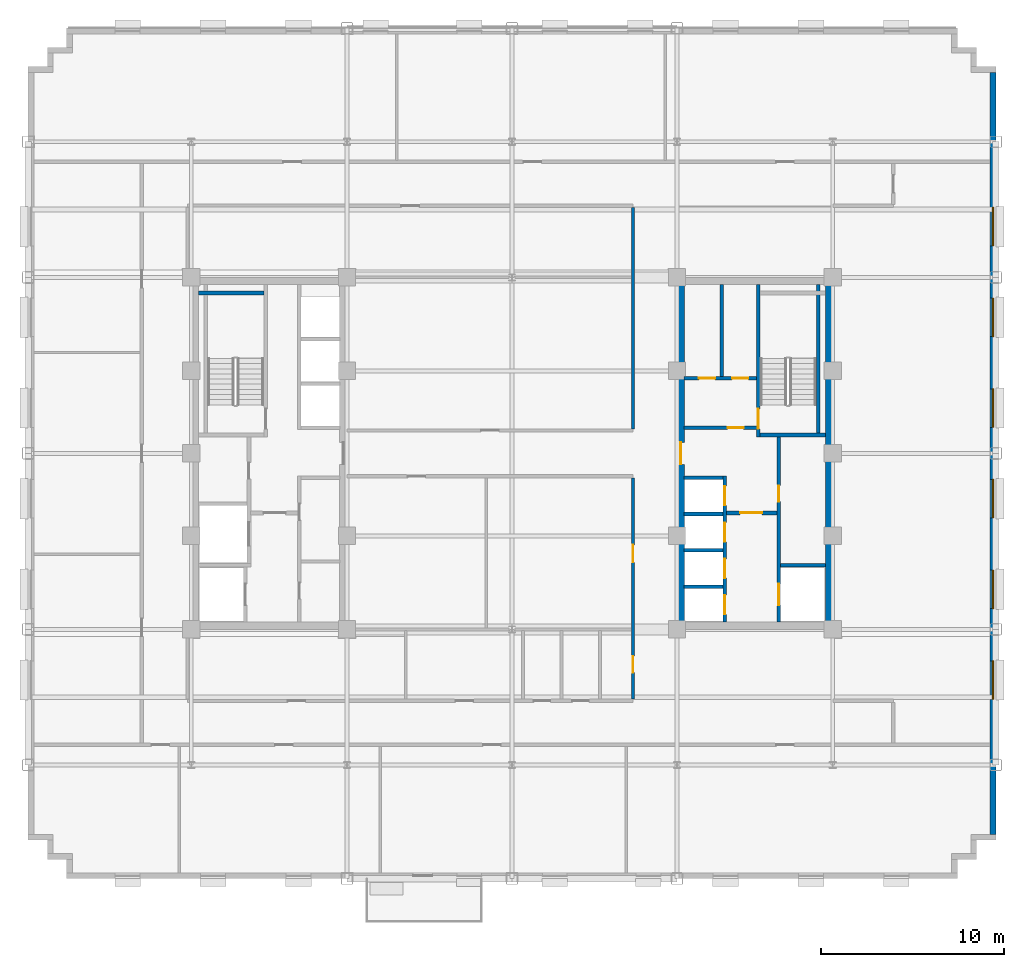
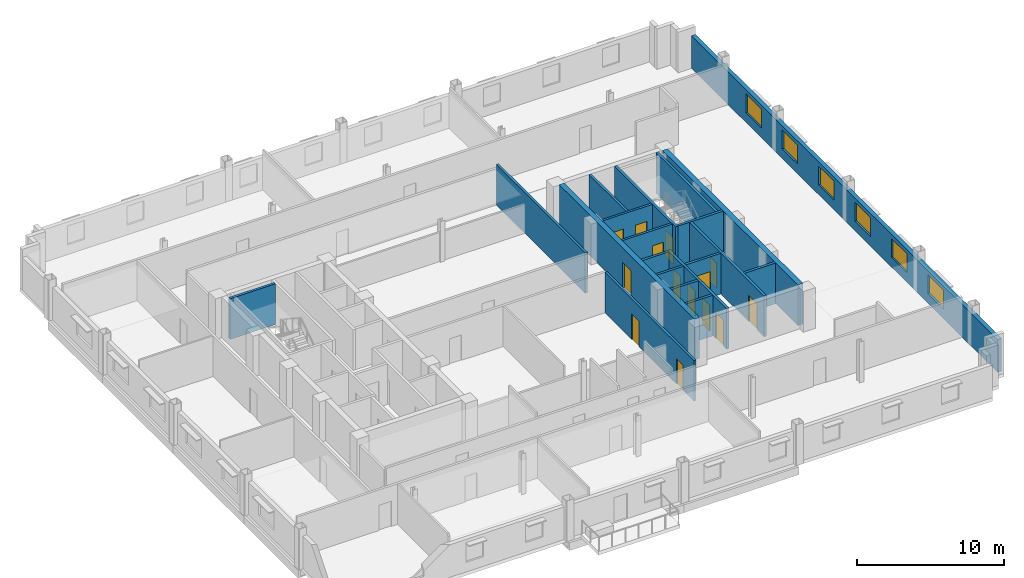
# One storey, part 8 of 13: 20 walls, 14 doors, 6 windows, 20 openings.
"""IFC4 building model written with IfcOpenShell, lengths in metres."""

from ifc_helpers import new_model, si_unit, direction, frame, frame_2d, origin, place, context, subcontext, project, spatial, rectangle, extrude, source, transform, mapped, material, layer, layer_set, type_object, type_shapes, element, fill, save


model = new_model("IFC4")

# Units and contexts
model_context = context("Model", 3, precision=1e-05, world=origin(), true_north=direction((0.0, 1.0)))
body_context = subcontext(model_context, "Body", "Model", "MODEL_VIEW")
ifc_project = project(units=[si_unit("LENGTHUNIT", "METRE"), si_unit("AREAUNIT", "SQUARE_METRE"), si_unit("VOLUMEUNIT", "CUBIC_METRE"), si_unit("PLANEANGLEUNIT", "RADIAN"), si_unit("MASSUNIT", "GRAM", prefix="KILO")], contexts=[model_context])

# Site, building, storey
site_placement = place(None, origin())
site = spatial("IfcSite", under=ifc_project, at=site_placement, CompositionType="ELEMENT")
building_placement = place(site_placement, origin())
building = spatial("IfcBuilding", under=site, at=building_placement, Name="Nuvemarco Arch Tower", CompositionType="ELEMENT")
storey_placement = place(building_placement, frame((0.0, 0.0, 156.699951171875)))
storey = spatial("IfcBuildingStorey", under=building, at=storey_placement, Name="L41", CompositionType="ELEMENT", Elevation=156.699951171875)

# Wall, openings, windows
ifc_material_1 = material(Name="Precast concrete C45/55", Category="concrete")
ifc_layer_1 = layer(ifc_material_1, 0.320068359375, Name="EW-MID-320")
ifc_layer_set_1 = layer_set([ifc_layer_1], Name="Precast concrete C45/55")
wall_type_1 = type_object("IfcWallType", Name="EW-MID-320", PredefinedType="STANDARD", material=ifc_layer_set_1)
wall_1_placement = place(storey_placement, frame((26.239990234375, -20.783935546875, 0.0), z_axis=(0.0, 0.0, 1.0), x_axis=(0.0, 1.0, 0.0)))
wall_1 = element("IfcWall", 1, at=wall_1_placement, inside=storey, type_object=wall_type_1, Name="L41 exterior precast facade wall 6", PredefinedType="STANDARD", context=body_context, shape_type="SweptSolid", body=[
    extrude(rectangle(XDim=41.56787109375, YDim=0.320068359375, at=frame_2d((20.783935546875, 0.0))), origin(), (0.0, 0.0, 1.0), 2.705078125),
])
opening_1_placement = place(wall_1_placement, frame((7.368896484375, 0.0, 0.800048828125)))
opening_1 = element("IfcOpeningElement", 2, at=opening_1_placement, cuts=wall_1, Name="Opening WN-5", PredefinedType="OPENING", context=body_context, shape_type="SweptSolid", body=[
    extrude(rectangle(XDim=2.10009765625, YDim=1.56005859375, at=frame_2d((1.050048828125, 0.780029296875))), frame((0.0, 0.169921875, 0.0), z_axis=(0.0, -1.0, 0.0), x_axis=(1.0, 0.0, 0.0)), (0.0, 0.0, 1.0), 0.340087890625),
])
opening_2_placement = place(wall_1_placement, frame((12.31494140625, 0.0, 0.800048828125)))
opening_2 = element("IfcOpeningElement", 3, at=opening_2_placement, cuts=wall_1, Name="Opening WN-5", PredefinedType="OPENING", context=body_context, shape_type="SweptSolid", body=[
    extrude(rectangle(XDim=2.10009765625, YDim=1.56005859375, at=frame_2d((1.050048828125, 0.780029296875))), frame((0.0, 0.169921875, 0.0), z_axis=(0.0, -1.0, 0.0), x_axis=(1.0, 0.0, 0.0)), (0.0, 0.0, 1.0), 0.340087890625),
])
opening_3_placement = place(wall_1_placement, frame((17.260986328125, 0.0, 0.800048828125)))
opening_3 = element("IfcOpeningElement", 4, at=opening_3_placement, cuts=wall_1, Name="Opening WN-5", PredefinedType="OPENING", context=body_context, shape_type="SweptSolid", body=[
    extrude(rectangle(XDim=2.10009765625, YDim=1.56005859375, at=frame_2d((1.050048828125, 0.780029296875))), frame((0.0, 0.169921875, 0.0), z_axis=(0.0, -1.0, 0.0), x_axis=(1.0, 0.0, 0.0)), (0.0, 0.0, 1.0), 0.340087890625),
])
opening_4_placement = place(wall_1_placement, frame((22.20703125, 0.0, 0.800048828125)))
opening_4 = element("IfcOpeningElement", 5, at=opening_4_placement, cuts=wall_1, Name="Opening WN-5", PredefinedType="OPENING", context=body_context, shape_type="SweptSolid", body=[
    extrude(rectangle(XDim=2.10009765625, YDim=1.56005859375, at=frame_2d((1.050048828125, 0.780029296875))), frame((0.0, 0.169921875, 0.0), z_axis=(0.0, -1.0, 0.0), x_axis=(1.0, 0.0, 0.0)), (0.0, 0.0, 1.0), 0.340087890625),
])
opening_5_placement = place(wall_1_placement, frame((27.153076171875, 0.0, 0.800048828125)))
opening_5 = element("IfcOpeningElement", 6, at=opening_5_placement, cuts=wall_1, Name="Opening WN-5", PredefinedType="OPENING", context=body_context, shape_type="SweptSolid", body=[
    extrude(rectangle(XDim=2.10009765625, YDim=1.56005859375, at=frame_2d((1.050048828125, 0.780029296875))), frame((0.0, 0.169921875, 0.0), z_axis=(0.0, -1.0, 0.0), x_axis=(1.0, 0.0, 0.0)), (0.0, 0.0, 1.0), 0.340087890625),
])
opening_6_placement = place(wall_1_placement, frame((32.09912109375, 0.0, 0.800048828125)))
opening_6 = element("IfcOpeningElement", 7, at=opening_6_placement, cuts=wall_1, Name="Opening WN-5", PredefinedType="OPENING", context=body_context, shape_type="SweptSolid", body=[
    extrude(rectangle(XDim=2.10009765625, YDim=1.56005859375, at=frame_2d((1.050048828125, 0.780029296875))), frame((0.0, 0.169921875, 0.0), z_axis=(0.0, -1.0, 0.0), x_axis=(1.0, 0.0, 0.0)), (0.0, 0.0, 1.0), 0.340087890625),
])
ifc_material_2 = material(Name="Insulated solar-control glass", Category="glass")
window_type = type_object("IfcWindowType", Name="WN-MID-2100x1560", PartitioningType="DOUBLE_PANEL_VERTICAL", PredefinedType="WINDOW", material=ifc_material_2)
shared_shape_1 = source(origin(), body_context, "Body", "SweptSolid", [
    extrude(rectangle(XDim=2.10009765625, YDim=1.56005859375, at=frame_2d((1.050048828125, 0.780029296875))), frame((0.0, 0.030029296875, 0.0), z_axis=(0.0, -1.0, 0.0), x_axis=(1.0, 0.0, 0.0)), (0.0, 0.0, 1.0), 0.06005859375),
])
type_shapes(window_type, [shared_shape_1])
window_1_placement = place(opening_1_placement, origin())
window_1 = element("IfcWindow", 8, at=window_1_placement, inside=storey, type_object=window_type, Name="L41 punched facade window 2", OverallHeight=1.56005859375, OverallWidth=2.10009765625, PartitioningType="SINGLE_PANEL", PredefinedType="WINDOW", context=body_context, shape_type="MappedRepresentation", body=[
    mapped(shared_shape_1, transform((0.0, 0.0, 0.0), scale=1.0)),
])
fill(opening_1, window_1)
window_2_placement = place(opening_2_placement, origin())
window_2 = element("IfcWindow", 9, at=window_2_placement, inside=storey, type_object=window_type, Name="L41 punched facade window 3", OverallHeight=1.56005859375, OverallWidth=2.10009765625, PartitioningType="SINGLE_PANEL", PredefinedType="WINDOW", context=body_context, shape_type="MappedRepresentation", body=[
    mapped(shared_shape_1, transform((0.0, 0.0, 0.0), scale=1.0)),
])
fill(opening_2, window_2)
window_3_placement = place(opening_3_placement, origin())
window_3 = element("IfcWindow", 10, at=window_3_placement, inside=storey, type_object=window_type, Name="L41 punched facade window 4", OverallHeight=1.56005859375, OverallWidth=2.10009765625, PartitioningType="SINGLE_PANEL", PredefinedType="WINDOW", context=body_context, shape_type="MappedRepresentation", body=[
    mapped(shared_shape_1, transform((0.0, 0.0, 0.0), scale=1.0)),
])
fill(opening_3, window_3)
window_4_placement = place(opening_4_placement, origin())
window_4 = element("IfcWindow", 11, at=window_4_placement, inside=storey, type_object=window_type, Name="L41 punched facade window 5", OverallHeight=1.56005859375, OverallWidth=2.10009765625, PartitioningType="SINGLE_PANEL", PredefinedType="WINDOW", context=body_context, shape_type="MappedRepresentation", body=[
    mapped(shared_shape_1, transform((0.0, 0.0, 0.0), scale=1.0)),
])
fill(opening_4, window_4)
window_5_placement = place(opening_5_placement, origin())
window_5 = element("IfcWindow", 12, at=window_5_placement, inside=storey, type_object=window_type, Name="L41 punched facade window 6", OverallHeight=1.56005859375, OverallWidth=2.10009765625, PartitioningType="SINGLE_PANEL", PredefinedType="WINDOW", context=body_context, shape_type="MappedRepresentation", body=[
    mapped(shared_shape_1, transform((0.0, 0.0, 0.0), scale=1.0)),
])
fill(opening_5, window_5)
window_6_placement = place(opening_6_placement, origin())
window_6 = element("IfcWindow", 13, at=window_6_placement, inside=storey, type_object=window_type, Name="L41 punched facade window 7", OverallHeight=1.56005859375, OverallWidth=2.10009765625, PartitioningType="SINGLE_PANEL", PredefinedType="WINDOW", context=body_context, shape_type="MappedRepresentation", body=[
    mapped(shared_shape_1, transform((0.0, 0.0, 0.0), scale=1.0)),
])
fill(opening_6, window_6)

# Wall, opening, door
ifc_material_3 = material(Name="Concrete C60/75", Category="concrete")
ifc_layer_2 = layer(ifc_material_3, 0.39990234375, Name="WL-CORE-400")
ifc_layer_set_2 = layer_set([ifc_layer_2], Name="Concrete C60/75")
wall_type_2 = type_object("IfcWallType", Name="WL-CORE-400", PredefinedType="SHEAR", material=ifc_layer_set_2)
wall_2_placement = place(storey_placement, frame((9.199951171875, -9.205078125, 0.0), z_axis=(0.0, 0.0, 1.0), x_axis=(0.0, 1.0, 0.0)))
wall_2 = element("IfcWall", 14, at=wall_2_placement, inside=storey, type_object=wall_type_2, Name="L41 E-core shear wall W", PredefinedType="SHEAR", context=body_context, shape_type="SweptSolid", body=[
    extrude(rectangle(XDim=18.41015625, YDim=0.39990234375, at=frame_2d((9.205078125, 0.0))), origin(), (0.0, 0.0, 1.0), 3.3701171875),
])
opening_7_placement = place(wall_2_placement, frame((8.60498046875, 0.0, 0.0)))
opening_7 = element("IfcOpeningElement", 15, at=opening_7_placement, cuts=wall_2, Name="Opening FD-2", PredefinedType="OPENING", context=body_context, shape_type="SweptSolid", body=[
    extrude(rectangle(XDim=1.199951171875, YDim=2.14990234375, at=frame_2d((0.60009765625, 1.074951171875))), frame((0.0, 0.2099609375, 0.0), z_axis=(0.0, -1.0, 0.0), x_axis=(1.0, 0.0, 0.0)), (0.0, 0.0, 1.0), 0.419921875),
])
ifc_material_4 = material(Name="Anodised steel fire door", Category="steel")
door_type_1 = type_object("IfcDoorType", Name="DR-FFLOB-FD", OperationType="NOTDEFINED", PredefinedType="DOOR", material=ifc_material_4)
shared_shape_2 = source(origin(), body_context, "Body", "SweptSolid", [
    extrude(rectangle(XDim=1.199951171875, YDim=2.14990234375, at=frame_2d((0.60009765625, 1.074951171875))), frame((0.0, 0.02490234375, 0.0), z_axis=(0.0, -1.0, 0.0), x_axis=(1.0, 0.0, 0.0)), (0.0, 0.0, 1.0), 0.050048828125),
])
type_shapes(door_type_1, [shared_shape_2])
door_1_placement = place(opening_7_placement, origin())
door_1 = element("IfcDoor", 16, at=door_1_placement, inside=storey, type_object=door_type_1, Name="L41 door FD-L41-ECORE-W", OperationType="SINGLE_SWING_RIGHT", OverallHeight=2.14990234375, OverallWidth=1.199951171875, PredefinedType="DOOR", context=body_context, shape_type="MappedRepresentation", body=[
    mapped(shared_shape_2, transform((0.0, 0.0, 0.0), scale=1.0)),
])
fill(opening_7, door_1)

# Wall
wall_3_placement = place(storey_placement, frame((17.300048828125, -9.205078125, 0.0), z_axis=(0.0, 0.0, 1.0), x_axis=(0.0, 1.0, 0.0)))
element("IfcWall", 17, at=wall_3_placement, inside=storey, type_object=wall_type_2, Name="L41 E-core shear wall E", PredefinedType="SHEAR", context=body_context, shape_type="SweptSolid", body=[
    extrude(rectangle(XDim=18.41015625, YDim=0.39990234375, at=frame_2d((9.205078125, 0.0))), origin(), (0.0, 0.0, 1.0), 3.3701171875),
])

# Wall, opening, door
ifc_material_5 = material(Name="Fire-rated gypsum drywall partition")
ifc_layer_3 = layer(ifc_material_5, 0.179931640625, Name="WL-CORR-180")
ifc_layer_set_3 = layer_set([ifc_layer_3], Name="Fire-rated gypsum drywall partition")
wall_type_3 = type_object("IfcWallType", Name="WL-CORR-180", PredefinedType="PARTITIONING", material=ifc_layer_set_3)
wall_4_placement = place(storey_placement, frame((9.39501953125, 1.39990234375, 0.0), z_axis=(0.0, 0.0, 1.0), x_axis=(1.0, 0.0, 0.0)))
wall_4 = element("IfcWall", 18, at=wall_4_placement, inside=storey, type_object=wall_type_3, Name="L41 interior wall IW-L41-EK-S", PredefinedType="PARTITIONING", context=body_context, shape_type="SweptSolid", body=[
    extrude(rectangle(XDim=3.949951171875, YDim=0.179931640625, at=frame_2d((1.97509765625, 0.0))), origin(), (0.0, 0.0, 1.0), 3.360107421875),
])
opening_8_placement = place(wall_4_placement, frame((2.364990234375, 0.0, 0.0)))
opening_8 = element("IfcOpeningElement", 19, at=opening_8_placement, cuts=wall_4, Name="Opening FD-4", PredefinedType="OPENING", context=body_context, shape_type="SweptSolid", body=[
    extrude(rectangle(XDim=0.8798828125, YDim=2.10009765625, at=frame_2d((0.43994140625, 1.050048828125))), frame((0.0, 0.099853515625, 0.0), z_axis=(0.0, -1.0, 0.0), x_axis=(1.0, 0.0, 0.0)), (0.0, 0.0, 1.0), 0.199951171875),
])
door_type_2 = type_object("IfcDoorType", Name="DR-RISER-FD", OperationType="NOTDEFINED", PredefinedType="DOOR", material=ifc_material_4)
shared_shape_3 = source(origin(), body_context, "Body", "SweptSolid", [
    extrude(rectangle(XDim=0.8798828125, YDim=2.10009765625, at=frame_2d((0.43994140625, 1.050048828125))), frame((0.0, 0.02490234375, 0.0), z_axis=(0.0, -1.0, 0.0), x_axis=(1.0, 0.0, 0.0)), (0.0, 0.0, 1.0), 0.050048828125),
])
type_shapes(door_type_2, [shared_shape_3])
door_2_placement = place(opening_8_placement, origin())
door_2 = element("IfcDoor", 20, at=door_2_placement, inside=storey, type_object=door_type_2, Name="L41 door FD-L41-EK3A", OperationType="SINGLE_SWING_LEFT", OverallHeight=2.10009765625, OverallWidth=0.8798828125, PredefinedType="DOOR", context=body_context, shape_type="MappedRepresentation", body=[
    mapped(shared_shape_3, transform((0.0, 0.0, 0.0), scale=1.0)),
])
fill(opening_8, door_2)

# Wall, openings, doors
wall_5_placement = place(storey_placement, frame((9.39501953125, 4.10009765625, 0.0), z_axis=(0.0, 0.0, 1.0), x_axis=(1.0, 0.0, 0.0)))
wall_5 = element("IfcWall", 21, at=wall_5_placement, inside=storey, type_object=wall_type_3, Name="L41 interior wall IW-L41-EK3H", PredefinedType="PARTITIONING", context=body_context, shape_type="SweptSolid", body=[
    extrude(rectangle(XDim=3.949951171875, YDim=0.179931640625, at=frame_2d((1.97509765625, 0.0))), origin(), (0.0, 0.0, 1.0), 3.360107421875),
])
opening_9_placement = place(wall_5_placement, frame((0.800048828125, 0.0, 0.0)))
opening_9 = element("IfcOpeningElement", 22, at=opening_9_placement, cuts=wall_5, Name="Opening FD-4", PredefinedType="OPENING", context=body_context, shape_type="SweptSolid", body=[
    extrude(rectangle(XDim=0.8798828125, YDim=2.10009765625, at=frame_2d((0.43994140625, 1.050048828125))), frame((0.0, 0.099853515625, 0.0), z_axis=(0.0, -1.0, 0.0), x_axis=(1.0, 0.0, 0.0)), (0.0, 0.0, 1.0), 0.199951171875),
])
opening_10_placement = place(wall_5_placement, frame((2.614990234375, 0.0, 0.0)))
opening_10 = element("IfcOpeningElement", 23, at=opening_10_placement, cuts=wall_5, Name="Opening FD-4", PredefinedType="OPENING", context=body_context, shape_type="SweptSolid", body=[
    extrude(rectangle(XDim=0.8798828125, YDim=2.10009765625, at=frame_2d((0.43994140625, 1.050048828125))), frame((0.0, 0.099853515625, 0.0), z_axis=(0.0, -1.0, 0.0), x_axis=(1.0, 0.0, 0.0)), (0.0, 0.0, 1.0), 0.199951171875),
])
door_3_placement = place(opening_9_placement, origin())
door_3 = element("IfcDoor", 24, at=door_3_placement, inside=storey, type_object=door_type_2, Name="L41 door FD-L41-EK3B", OperationType="SINGLE_SWING_RIGHT", OverallHeight=2.10009765625, OverallWidth=0.8798828125, PredefinedType="DOOR", context=body_context, shape_type="MappedRepresentation", body=[
    mapped(shared_shape_3, transform((0.0, 0.0, 0.0), scale=1.0)),
])
fill(opening_9, door_3)
door_4_placement = place(opening_10_placement, origin())
door_4 = element("IfcDoor", 25, at=door_4_placement, inside=storey, type_object=door_type_2, Name="L41 door FD-L41-EK3C", OperationType="SINGLE_SWING_LEFT", OverallHeight=2.10009765625, OverallWidth=0.8798828125, PredefinedType="DOOR", context=body_context, shape_type="MappedRepresentation", body=[
    mapped(shared_shape_3, transform((0.0, 0.0, 0.0), scale=1.0)),
])
fill(opening_10, door_4)

# Wall
wall_6_placement = place(storey_placement, frame((11.449951171875, 4.18994140625, 0.0), z_axis=(0.0, 0.0, 1.0), x_axis=(0.0, 1.0, 0.0)))
element("IfcWall", 26, at=wall_6_placement, inside=storey, type_object=wall_type_3, Name="L41 interior wall IW-L41-EK3V", PredefinedType="PARTITIONING", context=body_context, shape_type="SweptSolid", body=[
    extrude(rectangle(XDim=5.01513671875, YDim=0.179931640625, at=frame_2d((2.507568359375, 0.0))), origin(), (0.0, 0.0, 1.0), 3.360107421875),
])

# Wall, openings, doors
wall_7_placement = place(storey_placement, frame((6.60009765625, -13.4140625, 0.0), z_axis=(0.0, 0.0, 1.0), x_axis=(0.0, 1.0, 0.0)))
wall_7 = element("IfcWall", 27, at=wall_7_placement, inside=storey, type_object=wall_type_3, Name="L41 interior wall IW-L41-027", PredefinedType="PARTITIONING", context=body_context, shape_type="SweptSolid", body=[
    extrude(rectangle(XDim=12.078125, YDim=0.179931640625, at=frame_2d((6.0390625, 0.0))), origin(), (0.0, 0.0, 1.0), 3.360107421875),
])
opening_11_placement = place(wall_7_placement, frame((7.466064453125, 0.0, 0.0)))
opening_11 = element("IfcOpeningElement", 28, at=opening_11_placement, cuts=wall_7, Name="Opening FD-5", PredefinedType="OPENING", context=body_context, shape_type="SweptSolid", body=[
    extrude(rectangle(XDim=0.9599609375, YDim=2.10009765625, at=frame_2d((0.47998046875, 1.050048828125))), frame((0.0, 0.099853515625, 0.0), z_axis=(0.0, -1.0, 0.0), x_axis=(1.0, 0.0, 0.0)), (0.0, 0.0, 1.0), 0.199951171875),
])
opening_12_placement = place(wall_7_placement, frame((1.45703125, 0.0, 0.0)))
opening_12 = element("IfcOpeningElement", 29, at=opening_12_placement, cuts=wall_7, Name="Opening ID-3", PredefinedType="OPENING", context=body_context, shape_type="SweptSolid", body=[
    extrude(rectangle(XDim=0.89990234375, YDim=2.10009765625, at=frame_2d((0.449951171875, 1.050048828125))), frame((0.0, 0.099853515625, 0.0), z_axis=(0.0, -1.0, 0.0), x_axis=(1.0, 0.0, 0.0)), (0.0, 0.0, 1.0), 0.199951171875),
])
ifc_material_6 = material(Name="Timber fire door", Category="wood")
door_type_3 = type_object("IfcDoorType", Name="DR-CORR-FD", OperationType="NOTDEFINED", PredefinedType="DOOR", material=ifc_material_6)
shared_shape_4 = source(origin(), body_context, "Body", "SweptSolid", [
    extrude(rectangle(XDim=0.9599609375, YDim=2.10009765625, at=frame_2d((0.47998046875, 1.050048828125))), frame((0.0, 0.02490234375, 0.0), z_axis=(0.0, -1.0, 0.0), x_axis=(1.0, 0.0, 0.0)), (0.0, 0.0, 1.0), 0.050048828125),
])
type_shapes(door_type_3, [shared_shape_4])
door_5_placement = place(opening_11_placement, origin())
door_5 = element("IfcDoor", 30, at=door_5_placement, inside=storey, type_object=door_type_3, Name="L41 door DR-L41-C_S2", OperationType="SINGLE_SWING_RIGHT", OverallHeight=2.10009765625, OverallWidth=0.9599609375, PredefinedType="DOOR", context=body_context, shape_type="MappedRepresentation", body=[
    mapped(shared_shape_4, transform((0.0, 0.0, 0.0), scale=1.0)),
])
fill(opening_11, door_5)
ifc_material_7 = material(Name="Veneered oak timber fire door", Category="wood")
door_type_4 = type_object("IfcDoorType", Name="DR-WC-ACC", OperationType="NOTDEFINED", PredefinedType="DOOR", material=ifc_material_7)
shared_shape_5 = source(origin(), body_context, "Body", "SweptSolid", [
    extrude(rectangle(XDim=0.89990234375, YDim=2.10009765625, at=frame_2d((0.449951171875, 1.050048828125))), frame((0.0, 0.02490234375, 0.0), z_axis=(0.0, -1.0, 0.0), x_axis=(1.0, 0.0, 0.0)), (0.0, 0.0, 1.0), 0.050048828125),
])
type_shapes(door_type_4, [shared_shape_5])
door_6_placement = place(opening_12_placement, origin())
door_6 = element("IfcDoor", 31, at=door_6_placement, inside=storey, type_object=door_type_4, Name="L41 door DR-L41-WC_ACC", OperationType="SINGLE_SWING_LEFT", OverallHeight=2.10009765625, OverallWidth=0.89990234375, PredefinedType="DOOR", context=body_context, shape_type="MappedRepresentation", body=[
    mapped(shared_shape_5, transform((0.0, 0.0, 0.0), scale=1.0)),
])
fill(opening_12, door_6)

# Walls
wall_8_placement = place(storey_placement, frame((6.60009765625, 1.3359375, 0.0), z_axis=(0.0, 0.0, 1.0), x_axis=(0.0, 1.0, 0.0)))
element("IfcWall", 32, at=wall_8_placement, inside=storey, type_object=wall_type_3, Name="L41 interior wall IW-L41-028", PredefinedType="PARTITIONING", context=body_context, shape_type="SweptSolid", body=[
    extrude(rectangle(XDim=12.078125, YDim=0.179931640625, at=frame_2d((6.0390625, 0.0))), origin(), (0.0, 0.0, 1.0), 3.360107421875),
])
ifc_material_8 = material(Name="Concrete C50/60", Category="concrete")
ifc_layer_4 = layer(ifc_material_8, 0.199951171875, Name="WL-SHAFT-220")
ifc_layer_set_4 = layer_set([ifc_layer_4], Name="Concrete C50/60")
wall_type_4 = type_object("IfcWallType", Name="WL-SHAFT-220", PredefinedType="SHEAR", material=ifc_layer_set_4)
wall_9_placement = place(storey_placement, frame((-17.10498046875, 8.75, 0.0), z_axis=(0.0, 0.0, 1.0), x_axis=(1.0, 0.0, 0.0)))
element("IfcWall", 33, at=wall_9_placement, inside=storey, type_object=wall_type_4, Name="L41 structural shaft wall SW-L41-W-ST1N", PredefinedType="SHEAR", context=body_context, shape_type="SweptSolid", body=[
    extrude(rectangle(XDim=3.570068359375, YDim=0.199951171875, at=frame_2d((1.78515625, 0.0))), origin(), (0.0, 0.0, 1.0), 3.3701171875),
])

# Wall, opening, door
wall_10_placement = place(storey_placement, frame((13.43994140625, 0.89990234375, 0.0), z_axis=(0.0, 0.0, 1.0), x_axis=(0.0, 1.0, 0.0)))
wall_10 = element("IfcWall", 34, at=wall_10_placement, inside=storey, type_object=wall_type_4, Name="L41 structural shaft wall SW-L41-E-ST2W", PredefinedType="SHEAR", context=body_context, shape_type="SweptSolid", body=[
    extrude(rectangle(XDim=8.30517578125, YDim=0.199951171875, at=frame_2d((4.152587890625, 0.0))), origin(), (0.0, 0.0, 1.0), 3.3701171875),
])
opening_13_placement = place(wall_10_placement, frame((0.429931640625, 0.0, 0.0)))
opening_13 = element("IfcOpeningElement", 35, at=opening_13_placement, cuts=wall_10, Name="Opening FD-1", PredefinedType="OPENING", context=body_context, shape_type="SweptSolid", body=[
    extrude(rectangle(XDim=1.10009765625, YDim=2.14990234375, at=frame_2d((0.550048828125, 1.074951171875))), frame((0.0, 0.10986328125, 0.0), z_axis=(0.0, -1.0, 0.0), x_axis=(1.0, 0.0, 0.0)), (0.0, 0.0, 1.0), 0.219970703125),
])
door_type_5 = type_object("IfcDoorType", Name="DR-STAIR-FD", OperationType="NOTDEFINED", PredefinedType="DOOR", material=ifc_material_4)
shared_shape_6 = source(origin(), body_context, "Body", "SweptSolid", [
    extrude(rectangle(XDim=1.10009765625, YDim=2.14990234375, at=frame_2d((0.550048828125, 1.074951171875))), frame((0.0, 0.02490234375, 0.0), z_axis=(0.0, -1.0, 0.0), x_axis=(1.0, 0.0, 0.0)), (0.0, 0.0, 1.0), 0.050048828125),
])
type_shapes(door_type_5, [shared_shape_6])
door_7_placement = place(opening_13_placement, origin())
door_7 = element("IfcDoor", 36, at=door_7_placement, inside=storey, type_object=door_type_5, Name="L41 door FD-L41-ST2", OperationType="SINGLE_SWING_RIGHT", OverallHeight=2.14990234375, OverallWidth=1.10009765625, PredefinedType="DOOR", context=body_context, shape_type="MappedRepresentation", body=[
    mapped(shared_shape_6, transform((0.0, 0.0, 0.0), scale=1.0)),
])
fill(opening_13, door_7)

# Walls
wall_11_placement = place(storey_placement, frame((13.534912109375, 1.0, 0.0), z_axis=(0.0, 0.0, 1.0), x_axis=(1.0, 0.0, 0.0)))
element("IfcWall", 37, at=wall_11_placement, inside=storey, type_object=wall_type_4, Name="L41 structural shaft wall SW-L41-E-ST2S", PredefinedType="SHEAR", context=body_context, shape_type="SweptSolid", body=[
    extrude(rectangle(XDim=3.570068359375, YDim=0.199951171875, at=frame_2d((1.78515625, 0.0))), origin(), (0.0, 0.0, 1.0), 3.3701171875),
])
wall_12_placement = place(storey_placement, frame((16.699951171875, 1.094970703125, 0.0), z_axis=(0.0, 0.0, 1.0), x_axis=(0.0, 1.0, 0.0)))
element("IfcWall", 38, at=wall_12_placement, inside=storey, type_object=wall_type_4, Name="L41 structural shaft wall SW-L41-E-ST2E", PredefinedType="SHEAR", context=body_context, shape_type="SweptSolid", body=[
    extrude(rectangle(XDim=8.110107421875, YDim=0.199951171875, at=frame_2d((4.05517578125, 0.0))), origin(), (0.0, 0.0, 1.0), 3.3701171875),
])

# Wall, openings, doors
wall_13_placement = place(storey_placement, frame((14.550048828125, -9.205078125, 0.0), z_axis=(0.0, 0.0, 1.0), x_axis=(0.0, 1.0, 0.0)))
wall_13 = element("IfcWall", 39, at=wall_13_placement, inside=storey, type_object=wall_type_4, Name="L41 structural shaft wall SW-L41-E-SHW", PredefinedType="SHEAR", context=body_context, shape_type="SweptSolid", body=[
    extrude(rectangle(XDim=10.110107421875, YDim=0.199951171875, at=frame_2d((5.05517578125, 0.0))), origin(), (0.0, 0.0, 1.0), 3.3701171875),
])
opening_14_placement = place(wall_13_placement, frame((6.56494140625, 0.0, 0.0)))
opening_14 = element("IfcOpeningElement", 40, at=opening_14_placement, cuts=wall_13, Name="Opening FD-4", PredefinedType="OPENING", context=body_context, shape_type="SweptSolid", body=[
    extrude(rectangle(XDim=0.8798828125, YDim=2.10009765625, at=frame_2d((0.43994140625, 1.050048828125))), frame((0.0, 0.10986328125, 0.0), z_axis=(0.0, -1.0, 0.0), x_axis=(1.0, 0.0, 0.0)), (0.0, 0.0, 1.0), 0.219970703125),
])
opening_15_placement = place(wall_13_placement, frame((0.929931640625, 0.0, 0.0)))
opening_15 = element("IfcOpeningElement", 41, at=opening_15_placement, cuts=wall_13, Name="Opening LD-2", PredefinedType="OPENING", context=body_context, shape_type="SweptSolid", body=[
    extrude(rectangle(XDim=1.14990234375, YDim=2.14990234375, at=frame_2d((0.574951171875, 1.074951171875))), frame((0.0, 0.10986328125, 0.0), z_axis=(0.0, -1.0, 0.0), x_axis=(1.0, 0.0, 0.0)), (0.0, 0.0, 1.0), 0.219970703125),
])
door_8_placement = place(opening_14_placement, origin())
door_8 = element("IfcDoor", 42, at=door_8_placement, inside=storey, type_object=door_type_2, Name="L41 door FD-L41-ERIS", OperationType="SINGLE_SWING_RIGHT", OverallHeight=2.10009765625, OverallWidth=0.8798828125, PredefinedType="DOOR", context=body_context, shape_type="MappedRepresentation", body=[
    mapped(shared_shape_3, transform((0.0, 0.0, 0.0), scale=1.0)),
])
fill(opening_14, door_8)
ifc_material_9 = material(Name="Stainless steel lift door", Category="steel")
door_type_6 = type_object("IfcDoorType", Name="DR-LIFT-FIRE", OperationType="DOUBLE_DOOR_SLIDING", PredefinedType="DOOR", material=ifc_material_9)
shared_shape_7 = source(origin(), body_context, "Body", "SweptSolid", [
    extrude(rectangle(XDim=1.14990234375, YDim=2.14990234375, at=frame_2d((0.574951171875, 1.074951171875))), frame((0.0, 0.02490234375, 0.0), z_axis=(0.0, -1.0, 0.0), x_axis=(1.0, 0.0, 0.0)), (0.0, 0.0, 1.0), 0.050048828125),
])
type_shapes(door_type_6, [shared_shape_7])
door_9_placement = place(opening_15_placement, origin())
door_9 = element("IfcDoor", 43, at=door_9_placement, inside=storey, type_object=door_type_6, Name="L41 Lift landing sliding door FFL-2", OperationType="DOUBLE_DOOR_SLIDING", OverallHeight=2.14990234375, OverallWidth=1.14990234375, PredefinedType="DOOR", context=body_context, shape_type="MappedRepresentation", body=[
    mapped(shared_shape_7, transform((0.0, 0.0, 0.0), scale=1.0)),
])
fill(opening_15, door_9)

# Wall
wall_14_placement = place(storey_placement, frame((14.64501953125, -6.10009765625, 0.0), z_axis=(0.0, 0.0, 1.0), x_axis=(1.0, 0.0, 0.0)))
element("IfcWall", 44, at=wall_14_placement, inside=storey, type_object=wall_type_4, Name="L41 structural shaft wall SW-L41-E-SH1", PredefinedType="SHEAR", context=body_context, shape_type="SweptSolid", body=[
    extrude(rectangle(XDim=2.4599609375, YDim=0.199951171875, at=frame_2d((1.22998046875, 0.0))), origin(), (0.0, 0.0, 1.0), 3.3701171875),
])

# Wall, openings, doors
wall_15_placement = place(storey_placement, frame((11.60009765625, -9.205078125, 0.0), z_axis=(0.0, 0.0, 1.0), x_axis=(0.0, 1.0, 0.0)))
wall_15 = element("IfcWall", 45, at=wall_15_placement, inside=storey, type_object=wall_type_4, Name="L41 structural shaft wall SW-L41-E-PME", PredefinedType="SHEAR", context=body_context, shape_type="SweptSolid", body=[
    extrude(rectangle(XDim=7.97509765625, YDim=0.199951171875, at=frame_2d((3.987548828125, 0.0))), origin(), (0.0, 0.0, 1.0), 3.3701171875),
])
opening_16_placement = place(wall_15_placement, frame((0.419921875, 0.0, 0.0)))
opening_16 = element("IfcOpeningElement", 46, at=opening_16_placement, cuts=wall_15, Name="Opening LD-1", PredefinedType="OPENING", context=body_context, shape_type="SweptSolid", body=[
    extrude(rectangle(XDim=1.050048828125, YDim=2.14990234375, at=frame_2d((0.52490234375, 1.074951171875))), frame((0.0, 0.10986328125, 0.0), z_axis=(0.0, -1.0, 0.0), x_axis=(1.0, 0.0, 0.0)), (0.0, 0.0, 1.0), 0.219970703125),
])
opening_17_placement = place(wall_15_placement, frame((2.39990234375, 0.0, 0.0)))
opening_17 = element("IfcOpeningElement", 47, at=opening_17_placement, cuts=wall_15, Name="Opening LD-1", PredefinedType="OPENING", context=body_context, shape_type="SweptSolid", body=[
    extrude(rectangle(XDim=1.050048828125, YDim=2.14990234375, at=frame_2d((0.52490234375, 1.074951171875))), frame((0.0, 0.10986328125, 0.0), z_axis=(0.0, -1.0, 0.0), x_axis=(1.0, 0.0, 0.0)), (0.0, 0.0, 1.0), 0.219970703125),
])
opening_18_placement = place(wall_15_placement, frame((4.3798828125, 0.0, 0.0)))
opening_18 = element("IfcOpeningElement", 48, at=opening_18_placement, cuts=wall_15, Name="Opening LD-1", PredefinedType="OPENING", context=body_context, shape_type="SweptSolid", body=[
    extrude(rectangle(XDim=1.050048828125, YDim=2.14990234375, at=frame_2d((0.52490234375, 1.074951171875))), frame((0.0, 0.10986328125, 0.0), z_axis=(0.0, -1.0, 0.0), x_axis=(1.0, 0.0, 0.0)), (0.0, 0.0, 1.0), 0.219970703125),
])
opening_19_placement = place(wall_15_placement, frame((6.360107421875, 0.0, 0.0)))
opening_19 = element("IfcOpeningElement", 49, at=opening_19_placement, cuts=wall_15, Name="Opening LD-1", PredefinedType="OPENING", context=body_context, shape_type="SweptSolid", body=[
    extrude(rectangle(XDim=1.050048828125, YDim=2.14990234375, at=frame_2d((0.52490234375, 1.074951171875))), frame((0.0, 0.10986328125, 0.0), z_axis=(0.0, -1.0, 0.0), x_axis=(1.0, 0.0, 0.0)), (0.0, 0.0, 1.0), 0.219970703125),
])
door_type_7 = type_object("IfcDoorType", Name="DR-LIFT-PASS", OperationType="DOUBLE_DOOR_SLIDING", PredefinedType="DOOR", material=ifc_material_9)
shared_shape_8 = source(origin(), body_context, "Body", "SweptSolid", [
    extrude(rectangle(XDim=1.050048828125, YDim=2.14990234375, at=frame_2d((0.52490234375, 1.074951171875))), frame((0.0, 0.02490234375, 0.0), z_axis=(0.0, -1.0, 0.0), x_axis=(1.0, 0.0, 0.0)), (0.0, 0.0, 1.0), 0.050048828125),
])
type_shapes(door_type_7, [shared_shape_8])
door_10_placement = place(opening_16_placement, origin())
door_10 = element("IfcDoor", 50, at=door_10_placement, inside=storey, type_object=door_type_7, Name="L41 Lift landing sliding door PM-1", OperationType="DOUBLE_DOOR_SLIDING", OverallHeight=2.14990234375, OverallWidth=1.050048828125, PredefinedType="DOOR", context=body_context, shape_type="MappedRepresentation", body=[
    mapped(shared_shape_8, transform((0.0, 0.0, 0.0), scale=1.0)),
])
fill(opening_16, door_10)
door_11_placement = place(opening_17_placement, origin())
door_11 = element("IfcDoor", 51, at=door_11_placement, inside=storey, type_object=door_type_7, Name="L41 Lift landing sliding door PM-2", OperationType="DOUBLE_DOOR_SLIDING", OverallHeight=2.14990234375, OverallWidth=1.050048828125, PredefinedType="DOOR", context=body_context, shape_type="MappedRepresentation", body=[
    mapped(shared_shape_8, transform((0.0, 0.0, 0.0), scale=1.0)),
])
fill(opening_17, door_11)
door_12_placement = place(opening_18_placement, origin())
door_12 = element("IfcDoor", 52, at=door_12_placement, inside=storey, type_object=door_type_7, Name="L41 Lift landing sliding door PM-3", OperationType="DOUBLE_DOOR_SLIDING", OverallHeight=2.14990234375, OverallWidth=1.050048828125, PredefinedType="DOOR", context=body_context, shape_type="MappedRepresentation", body=[
    mapped(shared_shape_8, transform((0.0, 0.0, 0.0), scale=1.0)),
])
fill(opening_18, door_12)
door_13_placement = place(opening_19_placement, origin())
door_13 = element("IfcDoor", 53, at=door_13_placement, inside=storey, type_object=door_type_7, Name="L41 Lift landing sliding door PM-4", OperationType="DOUBLE_DOOR_SLIDING", OverallHeight=2.14990234375, OverallWidth=1.050048828125, PredefinedType="DOOR", context=body_context, shape_type="MappedRepresentation", body=[
    mapped(shared_shape_8, transform((0.0, 0.0, 0.0), scale=1.0)),
])
fill(opening_19, door_13)

# Wall, opening, door
wall_16_placement = place(storey_placement, frame((11.695068359375, -3.25, 0.0), z_axis=(0.0, 0.0, 1.0), x_axis=(1.0, 0.0, 0.0)))
wall_16 = element("IfcWall", 54, at=wall_16_placement, inside=storey, type_object=wall_type_4, Name="L41 structural shaft wall SW-L41-E-FFN", PredefinedType="SHEAR", context=body_context, shape_type="SweptSolid", body=[
    extrude(rectangle(XDim=2.760009765625, YDim=0.199951171875, at=frame_2d((1.3798828125, 0.0))), origin(), (0.0, 0.0, 1.0), 3.3701171875),
])
opening_20_placement = place(wall_16_placement, frame((0.7548828125, 0.0, 0.0)))
opening_20 = element("IfcOpeningElement", 55, at=opening_20_placement, cuts=wall_16, Name="Opening FD-2", PredefinedType="OPENING", context=body_context, shape_type="SweptSolid", body=[
    extrude(rectangle(XDim=1.199951171875, YDim=2.14990234375, at=frame_2d((0.60009765625, 1.074951171875))), frame((0.0, 0.10986328125, 0.0), z_axis=(0.0, -1.0, 0.0), x_axis=(1.0, 0.0, 0.0)), (0.0, 0.0, 1.0), 0.219970703125),
])
door_14_placement = place(opening_20_placement, origin())
door_14 = element("IfcDoor", 56, at=door_14_placement, inside=storey, type_object=door_type_1, Name="L41 door FD-L41-EFF2", OperationType="SINGLE_SWING_RIGHT", OverallHeight=2.14990234375, OverallWidth=1.199951171875, PredefinedType="DOOR", context=body_context, shape_type="MappedRepresentation", body=[
    mapped(shared_shape_2, transform((0.0, 0.0, 0.0), scale=1.0)),
])
fill(opening_20, door_14)

# Walls
for number, where, z_axis, x_axis, name in (
    (57, (9.39501953125, -7.27001953125, 0.0), (0.0, 0.0, 1.0), (1.0, 0.0, 0.0), "L41 structural shaft wall SW-L41-E-PMD1"),
    (58, (9.39501953125, -5.2900390625, 0.0), (0.0, 0.0, 1.0), (1.0, 0.0, 0.0), "L41 structural shaft wall SW-L41-E-PMD2"),
    (59, (9.39501953125, -3.31005859375, 0.0), (0.0, 0.0, 1.0), (1.0, 0.0, 0.0), "L41 structural shaft wall SW-L41-E-PMD3"),
    (60, (9.39501953125, -1.330078125, 0.0), (0.0, 0.0, 1.0), (1.0, 0.0, 0.0), "L41 structural shaft wall SW-L41-E-PMD4"),
):
    element("IfcWall", number, at=place(storey_placement, frame(where, z_axis=z_axis, x_axis=x_axis)), inside=storey, type_object=wall_type_4, Name=name, PredefinedType="SHEAR", context=body_context, shape_type="SweptSolid", body=[
        extrude(rectangle(XDim=2.10986328125, YDim=0.199951171875, at=frame_2d((1.054931640625, 0.0))), origin(), (0.0, 0.0, 1.0), 3.3701171875),
    ])

save(model, "model.ifc")
